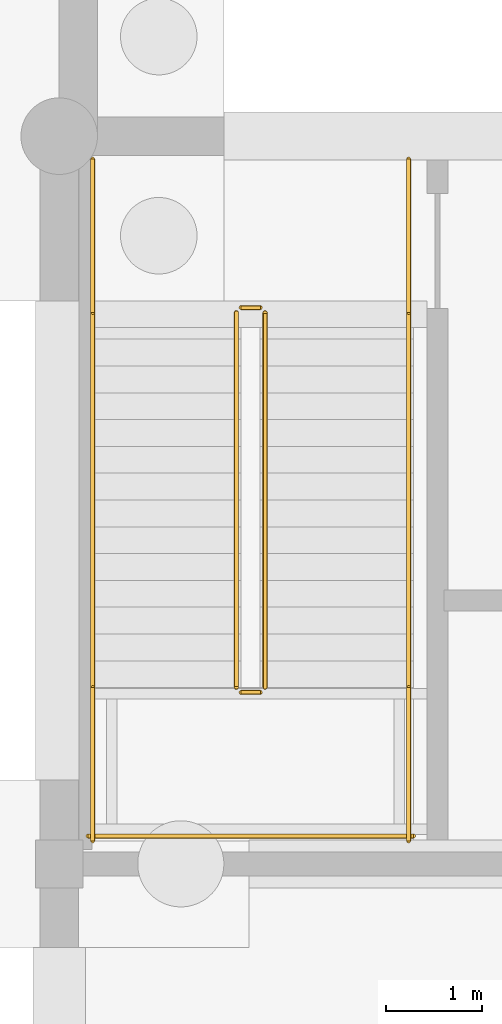
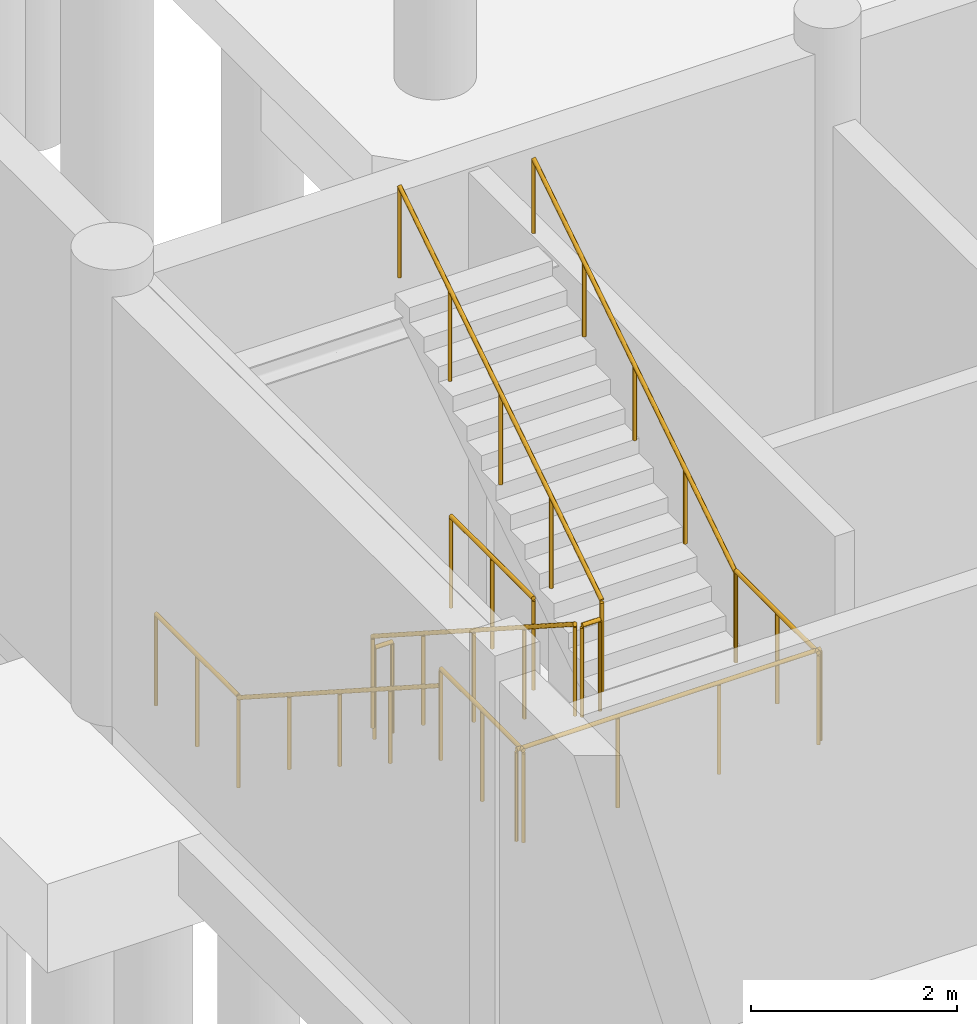
# One storey, part 37 of 44: 11 railings.
"""IFC4 building model written with IfcOpenShell, lengths in metres."""

from ifc_helpers import new_model, si_unit, direction, frame, origin, origin_2d, place, context, subcontext, project, spatial, circle, extrude, material, type_object, element, save


model = new_model("IFC4")

# Units and contexts
model_context = context("Model", 3, precision=1e-05, world=origin(), true_north=direction((0.0, 1.0)))
body_context = subcontext(model_context, "Body", "Model", "MODEL_VIEW")
ifc_project = project(units=[si_unit("LENGTHUNIT", "METRE"), si_unit("AREAUNIT", "SQUARE_METRE"), si_unit("VOLUMEUNIT", "CUBIC_METRE"), si_unit("PLANEANGLEUNIT", "RADIAN"), si_unit("MASSUNIT", "GRAM", prefix="KILO")], contexts=[model_context])

# Site, building, storey
site_placement = place(None, origin())
site = spatial("IfcSite", under=ifc_project, at=site_placement, CompositionType="ELEMENT")
building_placement = place(site_placement, origin())
building = spatial("IfcBuilding", under=site, at=building_placement, Name="Khelvaren Railside Concert Hall", CompositionType="ELEMENT")
storey_placement = place(building_placement, frame((0.0, 0.0, -5.39990234375)))
storey = spatial("IfcBuildingStorey", under=building, at=storey_placement, Name="B1", CompositionType="ELEMENT", Elevation=-5.39990234375)

# Railings
ifc_material_1 = material(Name="Painted architectural steel", Category="steel")
railing_type_1 = type_object("IfcRailingType", Name="GRD86", PredefinedType="GUARDRAIL", material=ifc_material_1)
railing_1_placement = place(storey_placement, frame((1.85009765625, 43.760009765625, 0.179931640625)))
element("IfcRailing", 1, at=railing_1_placement, inside=storey, type_object=railing_type_1, Name="B1 ST-11 stair guard 1", PredefinedType="GUARDRAIL", context=body_context, shape_type="SweptSolid", body=[
    extrude(circle(Radius=0.02392578125, at=origin_2d()), frame((0.0, 0.0, 1.076171875), z_axis=(0.0, -0.841171666519, 0.540768182723), x_axis=(1.0, 0.0, 0.0)), (0.0, 0.0, 1.0), 4.66015625),
    extrude(circle(Radius=0.02099609375, at=origin_2d()), origin(), (0.0, 0.0, 1.0), 1.052001953125),
    extrude(circle(Radius=0.02099609375, at=origin_2d()), frame((0.0, -0.97998046875, 0.6298828125)), (0.0, 0.0, 1.0), 1.052001953125),
    extrude(circle(Radius=0.02099609375, at=origin_2d()), frame((0.0, -1.9599609375, 1.260009765625)), (0.0, 0.0, 1.0), 1.052001953125),
    extrude(circle(Radius=0.02099609375, at=origin_2d()), frame((0.0, -2.93994140625, 1.89013671875)), (0.0, 0.0, 1.0), 1.052001953125),
    extrude(circle(Radius=0.02099609375, at=origin_2d()), frame((0.0, -3.919921875, 2.52001953125)), (0.0, 0.0, 1.0), 1.052001953125),
])
railing_2_placement = place(storey_placement, frame((1.89990234375, 39.7900390625, 2.699951171875)))
element("IfcRailing", 2, at=railing_2_placement, inside=storey, type_object=railing_type_1, Name="B1 ST-11 stair guard 2", PredefinedType="GUARDRAIL", context=body_context, shape_type="SweptSolid", body=[
    extrude(circle(Radius=0.02392578125, at=origin_2d()), frame((0.0, 0.0, 1.076171875), z_axis=(1.0, 0.0, 0.0), x_axis=(0.0, 1.0, 0.0)), (0.0, 0.0, 1.0), 0.2001953125),
    extrude(circle(Radius=0.02099609375, at=origin_2d()), origin(), (0.0, 0.0, 1.0), 1.052001953125),
    extrude(circle(Radius=0.02099609375, at=origin_2d()), frame((0.2001953125, 0.0, 0.0)), (0.0, 0.0, 1.0), 1.052001953125),
])
for number, where, name in (
    (3, (0.35009765625, 39.840087890625, 2.699951171875), "B1 ST-11 stair guard 3"),
    (4, (3.64990234375, 39.840087890625, 2.699951171875), "B1 ST-11 stair guard 4"),
):
    element("IfcRailing", number, at=place(storey_placement, frame(where)), inside=storey, type_object=railing_type_1, Name=name, PredefinedType="GUARDRAIL", context=body_context, shape_type="SweptSolid", body=[
        extrude(circle(Radius=0.02392578125, at=origin_2d()), frame((0.0, 0.0, 1.076171875), z_axis=(0.0, -1.0, 0.0), x_axis=(1.0, 0.0, 0.0)), (0.0, 0.0, 1.0), 1.60009765625),
        extrude(circle(Radius=0.02099609375, at=origin_2d()), origin(), (0.0, 0.0, 1.0), 1.052001953125),
        extrude(circle(Radius=0.02099609375, at=origin_2d()), frame((0.0, -0.800048828125, 0.0)), (0.0, 0.0, 1.0), 1.052001953125),
        extrude(circle(Radius=0.02099609375, at=origin_2d()), frame((0.0, -1.60009765625, 0.0)), (0.0, 0.0, 1.0), 1.052001953125),
    ])
railing_3_placement = place(storey_placement, frame((0.300048828125, 38.2900390625, 2.699951171875)))
element("IfcRailing", 5, at=railing_3_placement, inside=storey, type_object=railing_type_1, Name="B1 ST-11 stair guard 5", PredefinedType="GUARDRAIL", context=body_context, shape_type="SweptSolid", body=[
    extrude(circle(Radius=0.02392578125, at=origin_2d()), frame((0.0, 0.0, 1.076171875), z_axis=(1.0, 0.0, 0.0), x_axis=(0.0, 1.0, 0.0)), (0.0, 0.0, 1.0), 3.39990234375),
    extrude(circle(Radius=0.02099609375, at=origin_2d()), origin(), (0.0, 0.0, 1.0), 1.052001953125),
    extrude(circle(Radius=0.02099609375, at=origin_2d()), frame((1.13330078125, 0.0, 0.0)), (0.0, 0.0, 1.0), 1.052001953125),
    extrude(circle(Radius=0.02099609375, at=origin_2d()), frame((2.2666015625, 0.0, 0.0)), (0.0, 0.0, 1.0), 1.052001953125),
    extrude(circle(Radius=0.02099609375, at=origin_2d()), frame((3.39990234375, 0.0, 0.0)), (0.0, 0.0, 1.0), 1.052001953125),
])
railing_4_placement = place(storey_placement, frame((2.14990234375, 39.840087890625, 2.8798828125)))
element("IfcRailing", 6, at=railing_4_placement, inside=storey, type_object=railing_type_1, Name="B1 ST-11 stair guard 6", PredefinedType="GUARDRAIL", context=body_context, shape_type="SweptSolid", body=[
    extrude(circle(Radius=0.02392578125, at=origin_2d()), frame((0.0, 0.0, 1.076171875), z_axis=(0.0, 0.841171666519, 0.540768182723), x_axis=(-1.0, 0.0, 0.0)), (0.0, 0.0, 1.0), 4.66015625),
    extrude(circle(Radius=0.02099609375, at=origin_2d()), origin(), (0.0, 0.0, 1.0), 1.052001953125),
    extrude(circle(Radius=0.02099609375, at=origin_2d()), frame((0.0, 0.97998046875, 0.6298828125)), (0.0, 0.0, 1.0), 1.052001953125),
    extrude(circle(Radius=0.02099609375, at=origin_2d()), frame((0.0, 1.9599609375, 1.260009765625)), (0.0, 0.0, 1.0), 1.052001953125),
    extrude(circle(Radius=0.02099609375, at=origin_2d()), frame((0.0, 2.93994140625, 1.89013671875)), (0.0, 0.0, 1.0), 1.052001953125),
    extrude(circle(Radius=0.02099609375, at=origin_2d()), frame((0.0, 3.919921875, 2.52001953125)), (0.0, 0.0, 1.0), 1.052001953125),
])
railing_5_placement = place(storey_placement, frame((1.89990234375, 43.81005859375, 0.0)))
element("IfcRailing", 7, at=railing_5_placement, inside=storey, type_object=railing_type_1, Name="B1 ST-11 stair guard 7", PredefinedType="GUARDRAIL", context=body_context, shape_type="SweptSolid", body=[
    extrude(circle(Radius=0.02392578125, at=origin_2d()), frame((0.0, 0.0, 1.076171875), z_axis=(1.0, 0.0, 0.0), x_axis=(0.0, 1.0, 0.0)), (0.0, 0.0, 1.0), 0.2001953125),
    extrude(circle(Radius=0.02099609375, at=origin_2d()), origin(), (0.0, 0.0, 1.0), 1.052001953125),
    extrude(circle(Radius=0.02099609375, at=origin_2d()), frame((0.2001953125, 0.0, 0.0)), (0.0, 0.0, 1.0), 1.052001953125),
])
for number, where, name in (
    (8, (0.35009765625, 45.360107421875, 0.0), "B1 ST-11 stair guard 8"),
    (9, (3.64990234375, 45.360107421875, 0.0), "B1 ST-11 stair guard 9"),
):
    element("IfcRailing", number, at=place(storey_placement, frame(where)), inside=storey, type_object=railing_type_1, Name=name, PredefinedType="GUARDRAIL", context=body_context, shape_type="SweptSolid", body=[
        extrude(circle(Radius=0.02392578125, at=origin_2d()), frame((0.0, 0.0, 1.076171875), z_axis=(0.0, -1.0, 0.0), x_axis=(1.0, 0.0, 0.0)), (0.0, 0.0, 1.0), 1.60009765625),
        extrude(circle(Radius=0.02099609375, at=origin_2d()), origin(), (0.0, 0.0, 1.0), 1.052001953125),
        extrude(circle(Radius=0.02099609375, at=origin_2d()), frame((0.0, -0.800048828125, 0.0)), (0.0, 0.0, 1.0), 1.052001953125),
        extrude(circle(Radius=0.02099609375, at=origin_2d()), frame((0.0, -1.60009765625, 0.0)), (0.0, 0.0, 1.0), 1.052001953125),
    ])
ifc_material_2 = material(Name="Brushed stainless steel Grade 316", Category="steel")
railing_type_2 = type_object("IfcRailingType", Name="HRL59", PredefinedType="HANDRAIL", material=ifc_material_2)
railing_6_placement = place(storey_placement, frame((0.35009765625, 43.760009765625, 0.179931640625)))
element("IfcRailing", 10, at=railing_6_placement, inside=storey, type_object=railing_type_2, Name="B1 ST-11 stair handrail 1", PredefinedType="HANDRAIL", context=body_context, shape_type="SweptSolid", body=[
    extrude(circle(Radius=0.02392578125, at=origin_2d()), frame((0.0, 0.0, 0.8759765625), z_axis=(0.0, -0.841171666519, 0.540768182723), x_axis=(1.0, 0.0, 0.0)), (0.0, 0.0, 1.0), 4.66015625),
    extrude(circle(Radius=0.02099609375, at=origin_2d()), origin(), (0.0, 0.0, 1.0), 0.851806640625),
    extrude(circle(Radius=0.02099609375, at=origin_2d()), frame((0.0, -0.97998046875, 0.6298828125)), (0.0, 0.0, 1.0), 0.851806640625),
    extrude(circle(Radius=0.02099609375, at=origin_2d()), frame((0.0, -1.9599609375, 1.260009765625)), (0.0, 0.0, 1.0), 0.851806640625),
    extrude(circle(Radius=0.02099609375, at=origin_2d()), frame((0.0, -2.93994140625, 1.89013671875)), (0.0, 0.0, 1.0), 0.851806640625),
    extrude(circle(Radius=0.02099609375, at=origin_2d()), frame((0.0, -3.919921875, 2.52001953125)), (0.0, 0.0, 1.0), 0.851806640625),
])
railing_7_placement = place(storey_placement, frame((3.64990234375, 39.840087890625, 2.8798828125)))
element("IfcRailing", 11, at=railing_7_placement, inside=storey, type_object=railing_type_2, Name="B1 ST-11 stair handrail 2", PredefinedType="HANDRAIL", context=body_context, shape_type="SweptSolid", body=[
    extrude(circle(Radius=0.02392578125, at=origin_2d()), frame((0.0, 0.0, 0.8759765625), z_axis=(0.0, 0.841171666519, 0.540768182723), x_axis=(-1.0, 0.0, 0.0)), (0.0, 0.0, 1.0), 4.66015625),
    extrude(circle(Radius=0.02099609375, at=origin_2d()), origin(), (0.0, 0.0, 1.0), 0.851806640625),
    extrude(circle(Radius=0.02099609375, at=origin_2d()), frame((0.0, 0.97998046875, 0.6298828125)), (0.0, 0.0, 1.0), 0.851806640625),
    extrude(circle(Radius=0.02099609375, at=origin_2d()), frame((0.0, 1.9599609375, 1.260009765625)), (0.0, 0.0, 1.0), 0.851806640625),
    extrude(circle(Radius=0.02099609375, at=origin_2d()), frame((0.0, 2.93994140625, 1.89013671875)), (0.0, 0.0, 1.0), 0.851806640625),
    extrude(circle(Radius=0.02099609375, at=origin_2d()), frame((0.0, 3.919921875, 2.52001953125)), (0.0, 0.0, 1.0), 0.851806640625),
])

save(model, "model.ifc")
